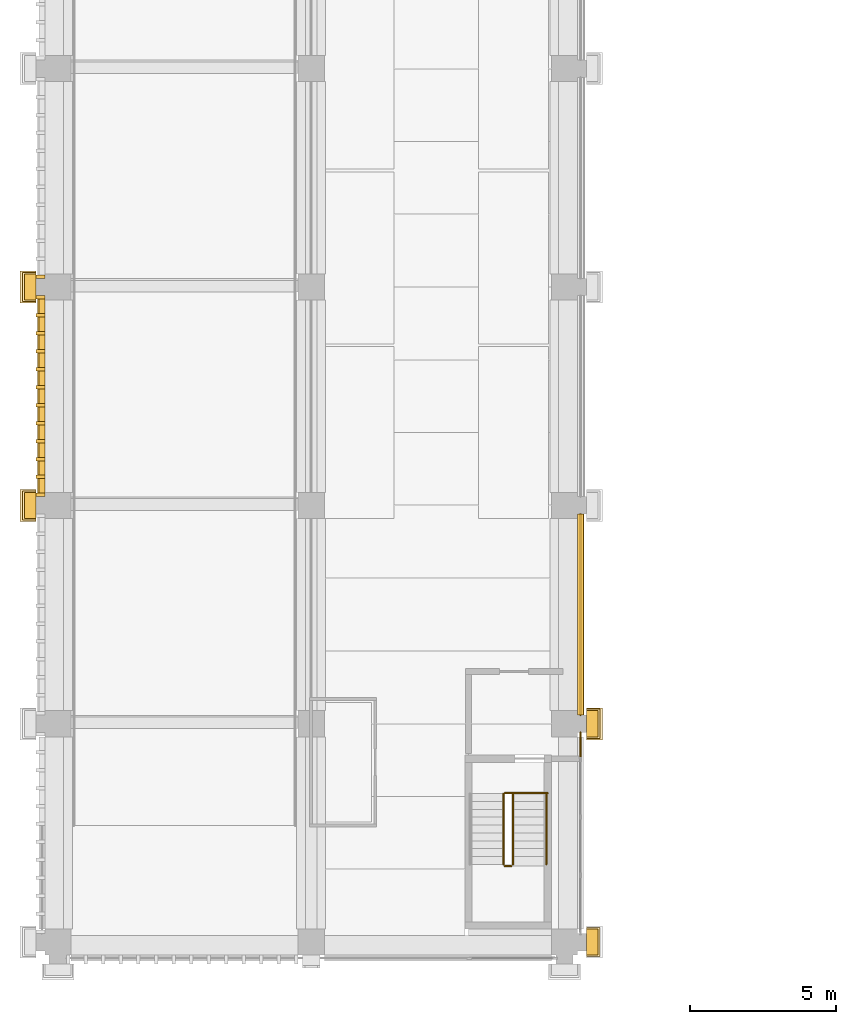
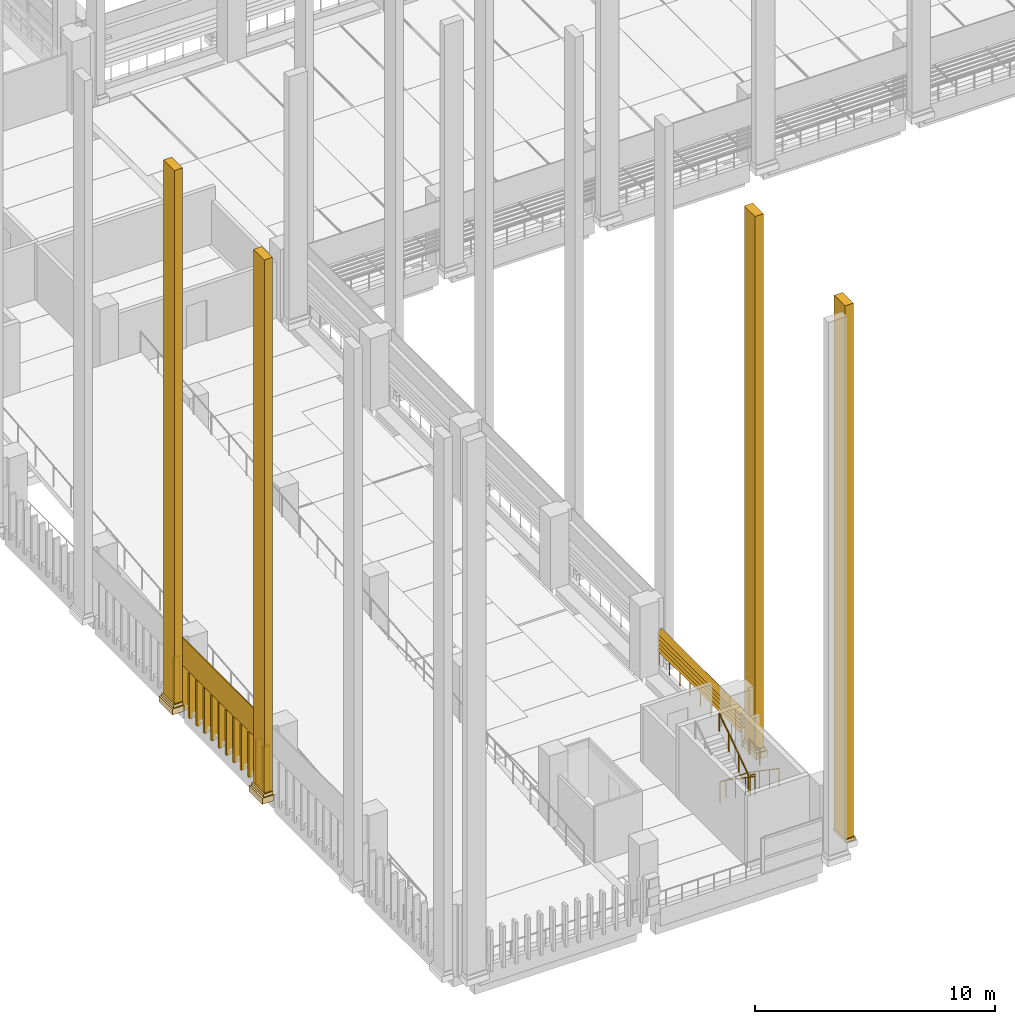
# One storey, part 44 of 67: 25 coverings, 7 railings, 5 shading devices.
"""IFC4 building model written with IfcOpenShell, lengths in metres."""

from ifc_helpers import new_model, si_unit, direction, frame, origin, origin_2d, place, context, subcontext, project, spatial, polyline, circle, outline, extrude, material, layer, layer_set, type_object, element, save


model = new_model("IFC4")

# Units and contexts
model_context = context("Model", 3, precision=1e-05, world=origin(), true_north=direction((0.0, 1.0)))
body_context = subcontext(model_context, "Body", "Model", "MODEL_VIEW")
ifc_project = project(units=[si_unit("LENGTHUNIT", "METRE"), si_unit("AREAUNIT", "SQUARE_METRE"), si_unit("VOLUMEUNIT", "CUBIC_METRE"), si_unit("PLANEANGLEUNIT", "RADIAN"), si_unit("MASSUNIT", "GRAM", prefix="KILO")], contexts=[model_context])

# Site, building, storey
site_placement = place(None, origin())
site = spatial("IfcSite", under=ifc_project, at=site_placement, CompositionType="ELEMENT")
building_placement = place(site_placement, origin())
building = spatial("IfcBuilding", under=site, at=building_placement, Name="Cour d'Honneur Mobility Palace", CompositionType="ELEMENT")
storey_placement = place(building_placement, frame((0.0, 0.0, 4.5)))
storey = spatial("IfcBuildingStorey", under=building, at=storey_placement, Name="L01", CompositionType="ELEMENT", Elevation=4.5)

# Railings
ifc_material_1 = material(Name="Painted steel", Category="steel")
railing_type_1 = type_object("IfcRailingType", Name="Balustrade", PredefinedType="BALUSTRADE", material=ifc_material_1)
railing_1_placement = place(storey_placement, frame((17.949951171875, 6.300048828125, 0.300048828125)))
element("IfcRailing", 1, at=railing_1_placement, inside=storey, type_object=railing_type_1, Name="Balustrade BAL-3", PredefinedType="BALUSTRADE", context=body_context, shape_type="SweptSolid", body=[
    extrude(circle(Radius=0.02392578125, at=origin_2d()), frame((0.0, 0.0, 0.77587890625), z_axis=(0.0, 1.0, 0.0), x_axis=(-1.0, 0.0, 0.0)), (0.0, 0.0, 1.0), 0.89990234375),
    extrude(circle(Radius=0.02099609375, at=origin_2d()), origin(), (0.0, 0.0, 1.0), 0.751953125),
    extrude(circle(Radius=0.02099609375, at=origin_2d()), frame((0.0, 0.89990234375, 0.0)), (0.0, 0.0, 1.0), 0.751953125),
])
railing_2_placement = place(storey_placement, frame((17.949951171875, 7.800048828125, 0.300048828125)))
element("IfcRailing", 2, at=railing_2_placement, inside=storey, type_object=railing_type_1, Name="Balustrade BAL-4", PredefinedType="BALUSTRADE", context=body_context, shape_type="SweptSolid", body=[
    extrude(circle(Radius=0.02392578125, at=origin_2d()), frame((0.0, 0.0, 0.77587890625), z_axis=(0.0, 1.0, 0.0), x_axis=(-1.0, 0.0, 0.0)), (0.0, 0.0, 1.0), 6.89990234375),
    extrude(circle(Radius=0.02099609375, at=origin_2d()), origin(), (0.0, 0.0, 1.0), 0.751953125),
    extrude(circle(Radius=0.02099609375, at=origin_2d()), frame((0.0, 0.862548828125, 0.0)), (0.0, 0.0, 1.0), 0.751953125),
    extrude(circle(Radius=0.02099609375, at=origin_2d()), frame((0.0, 1.72509765625, 0.0)), (0.0, 0.0, 1.0), 0.751953125),
    extrude(circle(Radius=0.02099609375, at=origin_2d()), frame((0.0, 2.58740234375, 0.0)), (0.0, 0.0, 1.0), 0.751953125),
    extrude(circle(Radius=0.02099609375, at=origin_2d()), frame((0.0, 3.449951171875, 0.0)), (0.0, 0.0, 1.0), 0.751953125),
    extrude(circle(Radius=0.02099609375, at=origin_2d()), frame((0.0, 4.3125, 0.0)), (0.0, 0.0, 1.0), 0.751953125),
    extrude(circle(Radius=0.02099609375, at=origin_2d()), frame((0.0, 5.1748046875, 0.0)), (0.0, 0.0, 1.0), 0.751953125),
    extrude(circle(Radius=0.02099609375, at=origin_2d()), frame((0.0, 6.037353515625, 0.0)), (0.0, 0.0, 1.0), 0.751953125),
    extrude(circle(Radius=0.02099609375, at=origin_2d()), frame((0.0, 6.89990234375, 0.0)), (0.0, 0.0, 1.0), 0.751953125),
])
ifc_material_2 = material(Name="Painted steel", Category="steel")
railing_type_2 = type_object("IfcRailingType", Name="Guardrail 1100", PredefinedType="GUARDRAIL", material=ifc_material_2)
railing_3_placement = place(storey_placement, frame((15.35009765625, 5.1201171875, 0.0)))
element("IfcRailing", 3, at=railing_3_placement, inside=storey, type_object=railing_type_2, Name="Guard ST-RW1", PredefinedType="GUARDRAIL", context=body_context, shape_type="SweptSolid", body=[
    extrude(circle(Radius=0.02490234375, at=origin_2d()), frame((0.0, 0.0, 1.0751953125), z_axis=(1.0, 0.0, 0.0), x_axis=(0.0, 1.0, 0.0)), (0.0, 0.0, 1.0), 1.474853515625),
    extrude(circle(Radius=0.02099609375, at=origin_2d()), origin(), (0.0, 0.0, 1.0), 1.050048828125),
    extrude(circle(Radius=0.02099609375, at=origin_2d()), frame((0.7373046875, 0.0, 0.0)), (0.0, 0.0, 1.0), 1.050048828125),
    extrude(circle(Radius=0.02099609375, at=origin_2d()), frame((1.474853515625, 0.0, 0.0)), (0.0, 0.0, 1.0), 1.050048828125),
])
railing_4_placement = place(storey_placement, frame((15.35009765625, 2.610107421875, 1.85009765625)))
element("IfcRailing", 4, at=railing_4_placement, inside=storey, type_object=railing_type_2, Name="Landing guard ST-RW1", PredefinedType="GUARDRAIL", context=body_context, shape_type="SweptSolid", body=[
    extrude(circle(Radius=0.02490234375, at=origin_2d()), frame((0.0, 0.0, 1.0751953125), z_axis=(1.0, 0.0, 0.0), x_axis=(0.0, 1.0, 0.0)), (0.0, 0.0, 1.0), 0.224853515625),
    extrude(circle(Radius=0.02099609375, at=origin_2d()), origin(), (0.0, 0.0, 1.0), 1.050048828125),
    extrude(circle(Radius=0.02099609375, at=origin_2d()), frame((0.224853515625, 0.0, 0.0)), (0.0, 0.0, 1.0), 1.050048828125),
])
ifc_material_3 = material(Name="Stainless steel", Category="steel")
railing_type_3 = type_object("IfcRailingType", Name="Handrail round 50", PredefinedType="HANDRAIL", material=ifc_material_3)
for number, where, name in (
    (5, (16.77490234375, 5.10009765625, 0.18505859375), "Handrail ST-RW1"),
    (6, (15.625, 5.10009765625, 0.18505859375), "Handrail ST-RW1"),
):
    element("IfcRailing", number, at=place(storey_placement, frame(where)), inside=storey, type_object=railing_type_3, Name=name, PredefinedType="HANDRAIL", context=body_context, shape_type="SweptSolid", body=[
        extrude(circle(Radius=0.02490234375, at=origin_2d()), frame((0.0, 0.0, 0.89501953125), z_axis=(0.0, -0.824945253146, 0.565212640793), x_axis=(1.0, 0.0, 0.0)), (0.0, 0.0, 1.0), 2.94580078125),
        extrude(circle(Radius=0.02099609375, at=origin_2d()), origin(), (0.0, 0.0, 1.0), 0.869873046875),
        extrude(circle(Radius=0.02099609375, at=origin_2d()), frame((0.0, -0.81005859375, 0.554931640625)), (0.0, 0.0, 1.0), 0.869873046875),
        extrude(circle(Radius=0.02099609375, at=origin_2d()), frame((0.0, -1.6201171875, 1.110107421875)), (0.0, 0.0, 1.0), 0.869873046875),
        extrude(circle(Radius=0.02099609375, at=origin_2d()), frame((0.0, -2.43017578125, 1.6650390625)), (0.0, 0.0, 1.0), 0.869873046875),
    ])
railing_5_placement = place(storey_placement, frame((15.300048828125, 2.669921875, 2.034912109375)))
element("IfcRailing", 7, at=railing_5_placement, inside=storey, type_object=railing_type_3, Name="Handrail ST-RW1", PredefinedType="HANDRAIL", context=body_context, shape_type="SweptSolid", body=[
    extrude(circle(Radius=0.02490234375, at=origin_2d()), frame((0.0, 0.0, 0.89501953125), z_axis=(0.0, 0.824945253146, 0.565212640793), x_axis=(-1.0, 0.0, 0.0)), (0.0, 0.0, 1.0), 2.94580078125),
    extrude(circle(Radius=0.02099609375, at=origin_2d()), origin(), (0.0, 0.0, 1.0), 0.869873046875),
    extrude(circle(Radius=0.02099609375, at=origin_2d()), frame((0.0, 0.81005859375, 0.554931640625)), (0.0, 0.0, 1.0), 0.869873046875),
    extrude(circle(Radius=0.02099609375, at=origin_2d()), frame((0.0, 1.6201171875, 1.110107421875)), (0.0, 0.0, 1.0), 0.869873046875),
    extrude(circle(Radius=0.02099609375, at=origin_2d()), frame((0.0, 2.43017578125, 1.6650390625)), (0.0, 0.0, 1.0), 0.869873046875),
])

# Coverings
ifc_material_4 = material(Name="Cast limestone", Category="masonry")
ifc_layer_1 = layer(ifc_material_4, 0.14990234375)
ifc_layer_set_1 = layer_set([ifc_layer_1], Name="Cast limestone")
covering_type_1 = type_object("IfcCoveringType", Name="Pilaster base", PredefinedType="CLADDING", material=ifc_layer_set_1)
covering_1_placement = place(storey_placement, frame((0.0, 0.0, 0.39990234375)))
element("IfcCovering", 8, at=covering_1_placement, inside=storey, type_object=covering_type_1, Name="Pilaster base PB-6", PredefinedType="CLADDING", context=body_context, shape_type="SweptSolid", body=[
    extrude(outline(polyline([(18.14990234375, -0.5), (18.14990234375, 0.5), (18.6201171875, 0.5), (18.6201171875, -0.5), (18.14990234375, -0.5)])), origin(), (0.0, 0.0, 1.0), 0.150146484375),
])
covering_2_placement = place(storey_placement, frame((0.0, 0.0, 0.10009765625)))
element("IfcCovering", 9, at=covering_2_placement, inside=storey, type_object=covering_type_1, Name="Pilaster base PB-7", PredefinedType="CLADDING", context=body_context, shape_type="SweptSolid", body=[
    extrude(outline(polyline([(18.14990234375, 6.949951171875), (18.14990234375, 8.050048828125), (18.699951171875, 8.050048828125), (18.699951171875, 6.949951171875), (18.14990234375, 6.949951171875)])), origin(), (0.0, 0.0, 1.0), 0.2998046875),
])
covering_3_placement = place(storey_placement, frame((0.0, 0.0, 0.39990234375)))
element("IfcCovering", 10, at=covering_3_placement, inside=storey, type_object=covering_type_1, Name="Pilaster base PB-8", PredefinedType="CLADDING", context=body_context, shape_type="SweptSolid", body=[
    extrude(outline(polyline([(18.14990234375, 7.0), (18.14990234375, 8.0), (18.6201171875, 8.0), (18.6201171875, 7.0), (18.14990234375, 7.0)])), origin(), (0.0, 0.0, 1.0), 0.150146484375),
])
covering_4_placement = place(storey_placement, frame((0.0, 0.0, 0.10009765625)))
element("IfcCovering", 11, at=covering_4_placement, inside=storey, type_object=covering_type_1, Name="Pilaster base PB-201", PredefinedType="CLADDING", context=body_context, shape_type="SweptSolid", body=[
    extrude(outline(polyline([(-0.75, 23.050048828125), (-0.75, 21.949951171875), (-1.300048828125, 21.949951171875), (-1.300048828125, 23.050048828125), (-0.75, 23.050048828125)])), origin(), (0.0, 0.0, 1.0), 0.2998046875),
])
covering_5_placement = place(storey_placement, frame((0.0, 0.0, 0.39990234375)))
element("IfcCovering", 12, at=covering_5_placement, inside=storey, type_object=covering_type_1, Name="Pilaster base PB-202", PredefinedType="CLADDING", context=body_context, shape_type="SweptSolid", body=[
    extrude(outline(polyline([(-0.75, 23.0), (-0.75, 22.0), (-1.219970703125, 22.0), (-1.219970703125, 23.0), (-0.75, 23.0)])), origin(), (0.0, 0.0, 1.0), 0.150146484375),
])
covering_6_placement = place(storey_placement, frame((0.0, 0.0, 0.10009765625)))
element("IfcCovering", 13, at=covering_6_placement, inside=storey, type_object=covering_type_1, Name="Pilaster base PB-203", PredefinedType="CLADDING", context=body_context, shape_type="SweptSolid", body=[
    extrude(outline(polyline([(-0.75, 15.550048828125), (-0.75, 14.449951171875), (-1.300048828125, 14.449951171875), (-1.300048828125, 15.550048828125), (-0.75, 15.550048828125)])), origin(), (0.0, 0.0, 1.0), 0.2998046875),
])
covering_7_placement = place(storey_placement, frame((0.0, 0.0, 0.39990234375)))
element("IfcCovering", 14, at=covering_7_placement, inside=storey, type_object=covering_type_1, Name="Pilaster base PB-204", PredefinedType="CLADDING", context=body_context, shape_type="SweptSolid", body=[
    extrude(outline(polyline([(-0.75, 15.5), (-0.75, 14.5), (-1.219970703125, 14.5), (-1.219970703125, 15.5), (-0.75, 15.5)])), origin(), (0.0, 0.0, 1.0), 0.150146484375),
])
ifc_material_5 = material(Name="Cast limestone", Category="masonry")
ifc_layer_2 = layer(ifc_material_5, 0.39990234375)
ifc_layer_set_2 = layer_set([ifc_layer_2], Name="Cast limestone")
covering_type_2 = type_object("IfcCoveringType", Name="Pilaster shaft", PredefinedType="CLADDING", material=ifc_layer_set_2)
covering_8_placement = place(storey_placement, frame((0.0, 0.0, 0.550048828125)))
element("IfcCovering", 15, at=covering_8_placement, inside=storey, type_object=covering_type_2, Name="Pilaster shaft PS-3", PredefinedType="CLADDING", context=body_context, shape_type="SweptSolid", body=[
    extrude(outline(polyline([(18.14990234375, -0.449951171875), (18.14990234375, 0.449951171875), (18.550048828125, 0.449951171875), (18.550048828125, -0.449951171875), (18.14990234375, -0.449951171875)])), origin(), (0.0, 0.0, 1.0), 27.14990234375),
])
covering_9_placement = place(storey_placement, frame((0.0, 0.0, 0.550048828125)))
element("IfcCovering", 16, at=covering_9_placement, inside=storey, type_object=covering_type_2, Name="Pilaster shaft PS-4", PredefinedType="CLADDING", context=body_context, shape_type="SweptSolid", body=[
    extrude(outline(polyline([(18.14990234375, 7.050048828125), (18.14990234375, 7.949951171875), (18.550048828125, 7.949951171875), (18.550048828125, 7.050048828125), (18.14990234375, 7.050048828125)])), origin(), (0.0, 0.0, 1.0), 27.14990234375),
])
covering_10_placement = place(storey_placement, frame((0.0, 0.0, 0.550048828125)))
element("IfcCovering", 17, at=covering_10_placement, inside=storey, type_object=covering_type_2, Name="Pilaster shaft PS-101", PredefinedType="CLADDING", context=body_context, shape_type="SweptSolid", body=[
    extrude(outline(polyline([(-0.75, 22.949951171875), (-0.75, 22.050048828125), (-1.14990234375, 22.050048828125), (-1.14990234375, 22.949951171875), (-0.75, 22.949951171875)])), origin(), (0.0, 0.0, 1.0), 27.14990234375),
])
covering_11_placement = place(storey_placement, frame((0.0, 0.0, 0.550048828125)))
element("IfcCovering", 18, at=covering_11_placement, inside=storey, type_object=covering_type_2, Name="Pilaster shaft PS-102", PredefinedType="CLADDING", context=body_context, shape_type="SweptSolid", body=[
    extrude(outline(polyline([(-0.75, 15.449951171875), (-0.75, 14.550048828125), (-1.14990234375, 14.550048828125), (-1.14990234375, 15.449951171875), (-0.75, 15.449951171875)])), origin(), (0.0, 0.0, 1.0), 27.14990234375),
])
ifc_material_6 = material(Name="Cast limestone", Category="masonry")
ifc_layer_3 = layer(ifc_material_6, 0.1201171875)
ifc_layer_set_3 = layer_set([ifc_layer_3], Name="Cast limestone")
covering_type_3 = type_object("IfcCoveringType", Name="Ramp screen fin", PredefinedType="CLADDING", material=ifc_layer_set_3)
covering_12_placement = place(storey_placement, origin())
element("IfcCovering", 19, at=covering_12_placement, inside=storey, type_object=covering_type_3, Name="Ramp screen fin W11.10 L01 12", PredefinedType="CLADDING", context=body_context, shape_type="SweptSolid", body=[
    extrude(outline(polyline([(-0.449951171875, 22.919921875), (-0.449951171875, 22.800048828125), (-0.75, 22.800048828125), (-0.75, 22.919921875), (-0.449951171875, 22.919921875)])), origin(), (0.0, 0.0, 1.0), 2.300048828125),
])
covering_13_placement = place(storey_placement, origin())
element("IfcCovering", 20, at=covering_13_placement, inside=storey, type_object=covering_type_3, Name="Ramp screen fin W11.11 L01 1", PredefinedType="CLADDING", context=body_context, shape_type="SweptSolid", body=[
    extrude(outline(polyline([(-0.449951171875, 22.199951171875), (-0.449951171875, 22.080078125), (-0.75, 22.080078125), (-0.75, 22.199951171875), (-0.449951171875, 22.199951171875)])), origin(), (0.0, 0.0, 1.0), 2.300048828125),
])
covering_14_placement = place(storey_placement, origin())
element("IfcCovering", 21, at=covering_14_placement, inside=storey, type_object=covering_type_3, Name="Ramp screen fin W11.11 L01 2", PredefinedType="CLADDING", context=body_context, shape_type="SweptSolid", body=[
    extrude(outline(polyline([(-0.449951171875, 21.583740234375), (-0.449951171875, 21.463623046875), (-0.75, 21.463623046875), (-0.75, 21.583740234375), (-0.449951171875, 21.583740234375)])), origin(), (0.0, 0.0, 1.0), 2.300048828125),
])
covering_15_placement = place(storey_placement, origin())
element("IfcCovering", 22, at=covering_15_placement, inside=storey, type_object=covering_type_3, Name="Ramp screen fin W11.11 L01 3", PredefinedType="CLADDING", context=body_context, shape_type="SweptSolid", body=[
    extrude(outline(polyline([(-0.449951171875, 20.96728515625), (-0.449951171875, 20.84716796875), (-0.75, 20.84716796875), (-0.75, 20.96728515625), (-0.449951171875, 20.96728515625)])), origin(), (0.0, 0.0, 1.0), 2.300048828125),
])
covering_16_placement = place(storey_placement, origin())
element("IfcCovering", 23, at=covering_16_placement, inside=storey, type_object=covering_type_3, Name="Ramp screen fin W11.11 L01 4", PredefinedType="CLADDING", context=body_context, shape_type="SweptSolid", body=[
    extrude(outline(polyline([(-0.449951171875, 20.350830078125), (-0.449951171875, 20.23095703125), (-0.75, 20.23095703125), (-0.75, 20.350830078125), (-0.449951171875, 20.350830078125)])), origin(), (0.0, 0.0, 1.0), 2.300048828125),
])
covering_17_placement = place(storey_placement, origin())
element("IfcCovering", 24, at=covering_17_placement, inside=storey, type_object=covering_type_3, Name="Ramp screen fin W11.11 L01 5", PredefinedType="CLADDING", context=body_context, shape_type="SweptSolid", body=[
    extrude(outline(polyline([(-0.449951171875, 19.734619140625), (-0.449951171875, 19.614501953125), (-0.75, 19.614501953125), (-0.75, 19.734619140625), (-0.449951171875, 19.734619140625)])), origin(), (0.0, 0.0, 1.0), 2.300048828125),
])
covering_18_placement = place(storey_placement, origin())
element("IfcCovering", 25, at=covering_18_placement, inside=storey, type_object=covering_type_3, Name="Ramp screen fin W11.11 L01 6", PredefinedType="CLADDING", context=body_context, shape_type="SweptSolid", body=[
    extrude(outline(polyline([(-0.449951171875, 19.1181640625), (-0.449951171875, 18.998291015625), (-0.75, 18.998291015625), (-0.75, 19.1181640625), (-0.449951171875, 19.1181640625)])), origin(), (0.0, 0.0, 1.0), 2.300048828125),
])
covering_19_placement = place(storey_placement, origin())
element("IfcCovering", 26, at=covering_19_placement, inside=storey, type_object=covering_type_3, Name="Ramp screen fin W11.11 L01 7", PredefinedType="CLADDING", context=body_context, shape_type="SweptSolid", body=[
    extrude(outline(polyline([(-0.449951171875, 18.501708984375), (-0.449951171875, 18.3818359375), (-0.75, 18.3818359375), (-0.75, 18.501708984375), (-0.449951171875, 18.501708984375)])), origin(), (0.0, 0.0, 1.0), 2.300048828125),
])
covering_20_placement = place(storey_placement, origin())
element("IfcCovering", 27, at=covering_20_placement, inside=storey, type_object=covering_type_3, Name="Ramp screen fin W11.11 L01 8", PredefinedType="CLADDING", context=body_context, shape_type="SweptSolid", body=[
    extrude(outline(polyline([(-0.449951171875, 17.885498046875), (-0.449951171875, 17.765380859375), (-0.75, 17.765380859375), (-0.75, 17.885498046875), (-0.449951171875, 17.885498046875)])), origin(), (0.0, 0.0, 1.0), 2.300048828125),
])
covering_21_placement = place(storey_placement, origin())
element("IfcCovering", 28, at=covering_21_placement, inside=storey, type_object=covering_type_3, Name="Ramp screen fin W11.11 L01 9", PredefinedType="CLADDING", context=body_context, shape_type="SweptSolid", body=[
    extrude(outline(polyline([(-0.449951171875, 17.26904296875), (-0.449951171875, 17.149169921875), (-0.75, 17.149169921875), (-0.75, 17.26904296875), (-0.449951171875, 17.26904296875)])), origin(), (0.0, 0.0, 1.0), 2.300048828125),
])
covering_22_placement = place(storey_placement, origin())
element("IfcCovering", 29, at=covering_22_placement, inside=storey, type_object=covering_type_3, Name="Ramp screen fin W11.11 L01 10", PredefinedType="CLADDING", context=body_context, shape_type="SweptSolid", body=[
    extrude(outline(polyline([(-0.449951171875, 16.65283203125), (-0.449951171875, 16.53271484375), (-0.75, 16.53271484375), (-0.75, 16.65283203125), (-0.449951171875, 16.65283203125)])), origin(), (0.0, 0.0, 1.0), 2.300048828125),
])
covering_23_placement = place(storey_placement, origin())
element("IfcCovering", 30, at=covering_23_placement, inside=storey, type_object=covering_type_3, Name="Ramp screen fin W11.11 L01 11", PredefinedType="CLADDING", context=body_context, shape_type="SweptSolid", body=[
    extrude(outline(polyline([(-0.449951171875, 16.036376953125), (-0.449951171875, 15.916259765625), (-0.75, 15.916259765625), (-0.75, 16.036376953125), (-0.449951171875, 16.036376953125)])), origin(), (0.0, 0.0, 1.0), 2.300048828125),
])
covering_24_placement = place(storey_placement, origin())
element("IfcCovering", 31, at=covering_24_placement, inside=storey, type_object=covering_type_3, Name="Ramp screen fin W11.11 L01 12", PredefinedType="CLADDING", context=body_context, shape_type="SweptSolid", body=[
    extrude(outline(polyline([(-0.449951171875, 15.419921875), (-0.449951171875, 15.300048828125), (-0.75, 15.300048828125), (-0.75, 15.419921875), (-0.449951171875, 15.419921875)])), origin(), (0.0, 0.0, 1.0), 2.300048828125),
])
ifc_material_7 = material(Name="Cast limestone", Category="masonry")
ifc_layer_4 = layer(ifc_material_7, 0.25)
ifc_layer_set_4 = layer_set([ifc_layer_4], Name="Cast limestone")
covering_type_4 = type_object("IfcCoveringType", Name="Spandrel cladding", PredefinedType="CLADDING", material=ifc_layer_set_4)
covering_25_placement = place(storey_placement, frame((-0.449951171875, 22.199951171875, 2.300048828125), z_axis=(0.0, 1.0, 0.0), x_axis=(-1.0, 0.0, 0.0)))
element("IfcCovering", 32, at=covering_25_placement, inside=storey, type_object=covering_type_4, Name="Spandrel cladding SK-137", PredefinedType="CLADDING", context=body_context, shape_type="SweptSolid", body=[
    extrude(outline(polyline([(0.0, 0.0), (0.25, 0.0), (0.25, 1.39990234375), (0.199951171875, 1.39990234375), (0.199951171875, 0.800048828125), (0.0, 0.800048828125), (0.0, 0.0)])), origin(), (0.0, 0.0, -1.0), 6.89990234375),
])

# Shading devices
ifc_material_8 = material(Name="Terracotta", Category="masonry")
ifc_layer_5 = layer(ifc_material_8, 0.02490234375)
ifc_layer_set_5 = layer_set([ifc_layer_5], Name="Terracotta")
shading_device_type = type_object("IfcShadingDeviceType", Name="Terracotta louvre blade", PredefinedType="JALOUSIE", material=ifc_layer_set_5)
shading_device_placement = place(storey_placement, frame((17.843994140625, 7.800048828125, 1.10009765625), z_axis=(-0.706699578995, 0.0, 0.707513749017), x_axis=(0.0, 1.0, 0.0)))
element("IfcShadingDevice", 33, at=shading_device_placement, inside=storey, type_object=shading_device_type, Name="Louvre blade LV-1 E1.1 L01 1", PredefinedType="JALOUSIE", context=body_context, shape_type="SweptSolid", body=[
    extrude(outline(polyline([(0.0, 0.0), (6.89990234375, 0.0), (6.89990234375, -0.29986442442957895), (0.0, -0.29986442442957895), (0.0, 0.0)])), origin(), (0.0, 0.0, -1.0), 0.02490234375),
])
for number, where, z_axis, x_axis, name in (
    (34, (17.843994140625, 7.800048828125, 1.31201171875), (-0.707106781187, 0.0, 0.707106781187), (0.0, 1.0, 0.0), "Louvre blade LV-1 E1.1 L01 2"),
    (35, (17.843994140625, 7.800048828125, 1.524169921875), (-0.707106781187, 0.0, 0.707106781187), (0.0, 1.0, 0.0), "Louvre blade LV-1 E1.1 L01 3"),
    (36, (17.843994140625, 7.800048828125, 1.736328125), (-0.707106781187, 0.0, 0.707106781187), (0.0, 1.0, 0.0), "Louvre blade LV-1 E1.1 L01 4"),
    (37, (17.843994140625, 7.800048828125, 1.948486328125), (-0.707106781187, 0.0, 0.707106781187), (0.0, 1.0, 0.0), "Louvre blade LV-1 E1.1 L01 5"),
):
    element("IfcShadingDevice", number, at=place(storey_placement, frame(where, z_axis=z_axis, x_axis=x_axis)), inside=storey, type_object=shading_device_type, Name=name, PredefinedType="JALOUSIE", context=body_context, shape_type="SweptSolid", body=[
        extrude(outline(polyline([(0.0, 0.0), (6.89990234375, 0.0), (6.89990234375, -0.300037008228081), (0.0, -0.300037008228081), (0.0, 0.0)])), origin(), (0.0, 0.0, -1.0), 0.02490234375),
    ])

save(model, "model.ifc")
